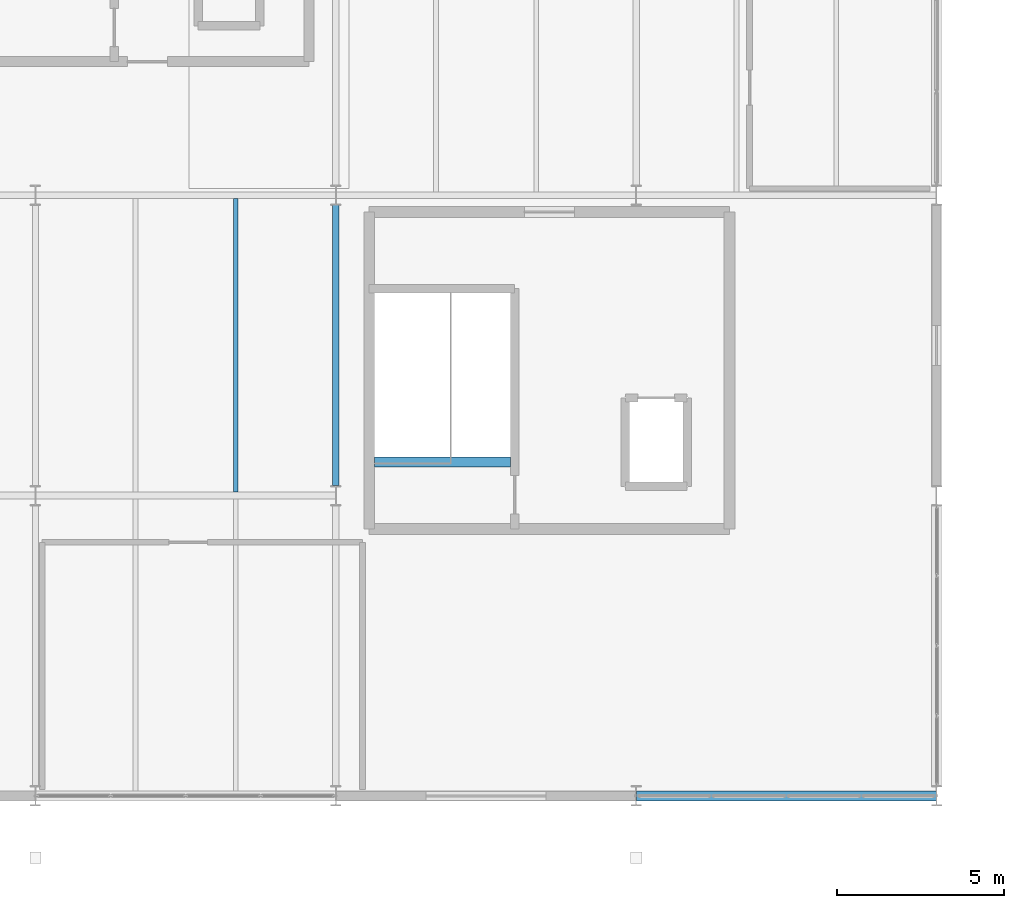
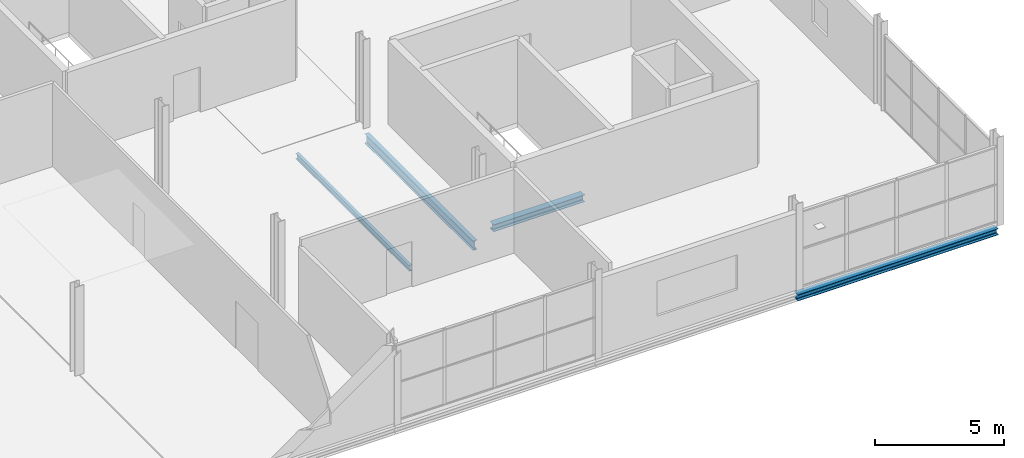
# One storey, part 20 of 44: 4 beams.
"""IFC4 building model written with IfcOpenShell, lengths in metres."""

import ifcopenshell
import ifcopenshell.guid

model = None  # the IFC model being written
_history = None  # IfcOwnerHistory: only IFC2X3 demands one
_inside = {}  # id of a spatial element -> (the spatial element, [elements in it])
_under = {}  # id of a project, library or spatial element -> (it, [spatial elements below it])
_declared = {}  # id of a project -> (the project, [libraries it declares])
_typed = {}  # id of a type object -> (the type object, [elements of that type])
_made_of = {}  # id of a material, layer set ... -> (it, [elements and type objects made of it])


def new_model(schema):
    """Start an empty IFC model of exactly this schema.

    Asked for "IFC4X3", IfcOpenShell would pick the latest addendum, in which some entities
    have other attributes; the version numbers below select the first issue.
    IFC2X3 requires an IfcOwnerHistory on every rooted entity: one is made here for all.
    """
    global model, _history
    if schema == "IFC4X3":
        model = ifcopenshell.file(schema_version=(4, 3, 0, 0))
    else:
        model = ifcopenshell.file(schema=schema)
    _inside.clear()
    _under.clear()
    _declared.clear()
    _typed.clear()
    _made_of.clear()
    _history = None
    if model.schema == "IFC2X3":
        org = make("IfcOrganization", Name="unknown")
        user = make(
            "IfcPersonAndOrganization",
            ThePerson=make("IfcPerson", FamilyName="unknown"),
            TheOrganization=org,
        )
        app = make(
            "IfcApplication",
            ApplicationDeveloper=org,
            Version="unknown",
            ApplicationFullName="unknown",
            ApplicationIdentifier="unknown",
        )
        _history = make(
            "IfcOwnerHistory",
            OwningUser=user,
            OwningApplication=app,
            ChangeAction="ADDED",
            CreationDate=0,
        )
    return model


def make(cls, **values):
    """One entity of the class cls with the attributes given. An attribute that is None is left unset."""
    return model.create_entity(
        cls, **{name: value for name, value in values.items() if value is not None}
    )


def rooted(cls, **values):
    """An entity with a GlobalId (a new one), such as an element, a storey or a relation."""
    return make(cls, GlobalId=ifcopenshell.guid.new(), OwnerHistory=_history, **values)


def si_unit(unit_type, name, prefix=None):
    """IfcSIUnit, for example si_unit("LENGTHUNIT", "METRE", prefix="MILLI")."""
    return make("IfcSIUnit", UnitType=unit_type, Prefix=prefix, Name=name)


def assignment(units):
    """IfcUnitAssignment: the units of a project."""
    return None if units is None else make("IfcUnitAssignment", Units=units)


def point(xyz):
    """IfcCartesianPoint."""
    return None if xyz is None else make("IfcCartesianPoint", Coordinates=xyz)


def direction(xyz):
    """IfcDirection."""
    return None if xyz is None else make("IfcDirection", DirectionRatios=xyz)


def frame(location, z_axis=None, x_axis=None):
    """IfcAxis2Placement3D, a coordinate frame: its origin and axes. An axis left out is left unset."""
    return make(
        "IfcAxis2Placement3D",
        Location=point(location),
        Axis=direction(z_axis),
        RefDirection=direction(x_axis),
    )


def frame_2d(location, x_axis=None):
    """IfcAxis2Placement2D, a coordinate frame in the plane: its origin and x axis."""
    return make(
        "IfcAxis2Placement2D", Location=point(location), RefDirection=direction(x_axis)
    )


def origin():
    """The frame at (0, 0, 0) with its axes left unset."""
    return frame((0.0, 0.0, 0.0))


def origin_2d():
    """The frame at (0, 0) in the plane with its x axis left unset."""
    return frame_2d((0.0, 0.0))


def place(relative_to, where):
    """IfcLocalPlacement: puts the frame where relative to a parent placement (None: the world)."""
    return make(
        "IfcLocalPlacement", PlacementRelTo=relative_to, RelativePlacement=where
    )


def context(
    kind, dimensions, precision=None, world=None, true_north=None, identifier=None
):
    """IfcGeometricRepresentationContext, for example the 3D "Model" context."""
    return make(
        "IfcGeometricRepresentationContext",
        ContextIdentifier=identifier,
        ContextType=kind,
        CoordinateSpaceDimension=dimensions,
        Precision=precision,
        WorldCoordinateSystem=world,
        TrueNorth=true_north,
    )


def subcontext(parent, identifier, kind, view, scale=None):
    """IfcGeometricRepresentationSubContext, for example "Body" below "Model"."""
    return make(
        "IfcGeometricRepresentationSubContext",
        ContextIdentifier=identifier,
        ContextType=kind,
        ParentContext=parent,
        TargetScale=scale,
        TargetView=view,
    )


def project(units=None, contexts=None):
    """IfcProject with its units and contexts."""
    return rooted(
        "IfcProject",
        Name="project",
        RepresentationContexts=contexts,
        UnitsInContext=assignment(units),
    )


def spatial(cls, under=None, at=None, **own):
    """A site, building, storey or space (cls), placed at a placement, below another one or the project."""
    s = rooted(cls, ObjectPlacement=at, **own)
    if under is not None:
        _under.setdefault(under.id(), (under, []))[1].append(s)
    return s


def profile(cls, at=None, kind="AREA", **sizes):
    """A parametric profile (cls). Its sizes go by their IFC names, for example OverallWidth=200.0."""
    return make(cls, ProfileType=kind, Position=at, **sizes)


def i_section(**sizes):
    """IfcIShapeProfileDef."""
    return profile("IfcIShapeProfileDef", **sizes)


def extrude(swept, where, along, depth):
    """IfcExtrudedAreaSolid: the profile swept, set in the frame where, extruded along a direction by depth."""
    return make(
        "IfcExtrudedAreaSolid",
        SweptArea=swept,
        Position=where,
        ExtrudedDirection=direction(along),
        Depth=depth,
    )


def shape(context_of_items, identifier, shape_type, items):
    """IfcShapeRepresentation: the items that make up one representation, for example the "Body"."""
    return make(
        "IfcShapeRepresentation",
        ContextOfItems=context_of_items,
        RepresentationIdentifier=identifier,
        RepresentationType=shape_type,
        Items=items,
    )


def material(Name=None, Category=None):
    """IfcMaterial."""
    return make("IfcMaterial", Name=Name, Category=Category)


def material_profile(
    of_material, cross_section, Name=None, Category=None, Priority=None
):
    """IfcMaterialProfile: a cross section and its material."""
    return make(
        "IfcMaterialProfile",
        Name=Name,
        Material=of_material,
        Profile=cross_section,
        Priority=Priority,
        Category=Category,
    )


def profile_set(profiles, Name=None, composite=None):
    """IfcMaterialProfileSet."""
    return make(
        "IfcMaterialProfileSet",
        Name=Name,
        MaterialProfiles=profiles,
        CompositeProfile=composite,
    )


def made_of(thing, what):
    """Note that an element or type object is made of a material, layer set ...; save() writes the relation."""
    if what is not None:
        _made_of.setdefault(what.id(), (what, []))[1].append(thing)
    return thing


def type_object(cls, material=None, **own):
    """A type object (cls), such as IfcWallType, which elements share."""
    return made_of(rooted(cls, **own), material)


def element(
    cls,
    number,
    at=None,
    inside=None,
    cuts=None,
    type_object=None,
    material=None,
    context=None,
    identifier="Body",
    shape_type=None,
    held_by="IfcProductDefinitionShape",
    body=None,
    shapes=None,
    **own,
):
    """One element of the class cls, such as IfcWall. Its Tag is "e" and its number.

    at: its placement. inside: the storey or other place that contains it. cuts: it is an
    opening in that element (IfcRelVoidsElement). A single representation is given by context,
    identifier, shape_type and body (its items); several are given by shapes. held_by: the class
    of the entity that holds the representations. save() writes the other relations.
    """
    e = rooted(cls, Tag="e%d" % number, ObjectPlacement=at, **own)
    if body is not None:
        shapes = [shape(context, identifier, shape_type, body)]
    if shapes is not None:
        e.Representation = make(held_by, Representations=shapes)
    if inside is not None:
        _inside.setdefault(inside.id(), (inside, []))[1].append(e)
    if cuts is not None:
        rooted(
            "IfcRelVoidsElement", RelatingBuildingElement=cuts, RelatedOpeningElement=e
        )
    if type_object is not None:
        _typed.setdefault(type_object.id(), (type_object, []))[1].append(e)
    return made_of(e, material)


def aggregate(whole, parts):
    """IfcRelAggregates: a whole, such as a stair, and the parts it consists of."""
    return rooted("IfcRelAggregates", RelatingObject=whole, RelatedObjects=parts)


def save(model, path):
    """Write the relations noted so far, then the file.

    IfcRelAggregates (storeys below a building ...), IfcRelContainedInSpatialStructure (elements
    in a storey), IfcRelDefinesByType, IfcRelAssociatesMaterial and IfcRelDeclares: one each for
    every whole, place, type object, material and project.
    """
    for whole, parts in _under.values():
        aggregate(whole, parts)
    for where, things in _inside.values():
        rooted(
            "IfcRelContainedInSpatialStructure",
            RelatedElements=things,
            RelatingStructure=where,
        )
    for kind, things in _typed.values():
        rooted("IfcRelDefinesByType", RelatedObjects=things, RelatingType=kind)
    for what, things in _made_of.values():
        rooted("IfcRelAssociatesMaterial", RelatedObjects=things, RelatingMaterial=what)
    for by, libraries in _declared.values():
        rooted("IfcRelDeclares", RelatingContext=by, RelatedDefinitions=libraries)
    model.write(path)


model = new_model("IFC4")

# Units and contexts
model_context = context("Model", 3, precision=1e-05, world=origin(), true_north=direction((0.0, 1.0)))
body_context = subcontext(model_context, "Body", "Model", "MODEL_VIEW")
ifc_project = project(units=[si_unit("LENGTHUNIT", "METRE"), si_unit("AREAUNIT", "SQUARE_METRE"), si_unit("VOLUMEUNIT", "CUBIC_METRE"), si_unit("PLANEANGLEUNIT", "RADIAN"), si_unit("MASSUNIT", "GRAM", prefix="KILO")], contexts=[model_context])

# Site, building, storey
site_placement = place(None, origin())
site = spatial("IfcSite", under=ifc_project, at=site_placement, CompositionType="ELEMENT")
building_placement = place(site_placement, origin())
building = spatial("IfcBuilding", under=site, at=building_placement, Name="Deido Ridge Mobility Hub", CompositionType="ELEMENT")
storey_placement = place(building_placement, frame((0.0, 0.0, 25.199951171875)))
storey = spatial("IfcBuildingStorey", under=building, at=storey_placement, Name="L06", CompositionType="ELEMENT", Elevation=25.199951171875)

# Beams
ifc_material = material(Name="Steel S355J2 EN 10025-2", Category="steel")
ifc_material_profile_1 = material_profile(ifc_material, i_section(OverallWidth=0.300048828125, OverallDepth=0.330078125, WebThickness=0.009521484375, FlangeThickness=0.0166015625, FilletRadius=0.027099609375, at=origin_2d()), Name="HEA 340")
ifc_profile_set_1 = profile_set([ifc_material_profile_1], Name="Steel S355J2 EN 10025-2")
beam_type_1 = type_object("IfcBeamType", Name="BM-HEA340", PredefinedType="BEAM", material=ifc_profile_set_1)
beam_1_placement = place(storey_placement, frame((163.16259765625, 10.0, -0.405029296875), z_axis=(1.0, 0.0, 0.0), x_axis=(0.0, 1.0, 0.0)))
element("IfcBeam", 1, at=beam_1_placement, inside=storey, type_object=beam_type_1, Name="C1 stair landing trimmer beam B6", PredefinedType="BEAM", context=body_context, shape_type="SweptSolid", body=[
    extrude(i_section(OverallWidth=0.300048828125, OverallDepth=0.330078125, WebThickness=0.009521484375, FlangeThickness=0.0166015625, FilletRadius=0.027099609375, at=origin_2d()), origin(), (0.0, 0.0, 1.0), 4.072509765625),
])
ifc_material_profile_2 = material_profile(ifc_material, i_section(OverallWidth=0.18994140625, OverallDepth=0.449951171875, WebThickness=0.009521484375, FlangeThickness=0.0146484375, FilletRadius=0.02099609375, at=origin_2d()), Name="IPE 450")
ifc_profile_set_2 = profile_set([ifc_material_profile_2], Name="Steel S355J2 EN 10025-2")
beam_type_2 = type_object("IfcBeamType", Name="BM-IPE450", PredefinedType="BEAM", material=ifc_profile_set_2)
beam_2_placement = place(storey_placement, frame((162.0, 9.300048828125, -0.46484375), z_axis=(0.0, 1.0, 0.0), x_axis=(-1.0, 0.0, 0.0)))
element("IfcBeam", 2, at=beam_2_placement, inside=storey, type_object=beam_type_2, Name="Floor beam B4", PredefinedType="BEAM", context=body_context, shape_type="SweptSolid", body=[
    extrude(i_section(OverallWidth=0.18994140625, OverallDepth=0.449951171875, WebThickness=0.009521484375, FlangeThickness=0.0146484375, FilletRadius=0.02099609375, at=origin_2d()), origin(), (0.0, 0.0, 1.0), 8.39990234375),
])
ifc_material_profile_3 = material_profile(ifc_material, i_section(OverallWidth=0.135009765625, OverallDepth=0.27001953125, WebThickness=0.006591796875, FlangeThickness=0.01025390625, FilletRadius=0.014892578125, at=origin_2d()), Name="IPE 270")
ifc_profile_set_3 = profile_set([ifc_material_profile_3], Name="Steel S355J2 EN 10025-2")
beam_type_3 = type_object("IfcBeamType", Name="JST-IPE270", PredefinedType="JOIST", material=ifc_profile_set_3)
beam_3_placement = place(storey_placement, frame((159.0, 9.10009765625, -0.375), z_axis=(0.0, 1.0, 0.0), x_axis=(-1.0, 0.0, 0.0)))
element("IfcBeam", 3, at=beam_3_placement, inside=storey, type_object=beam_type_3, Name="Composite joist J4", PredefinedType="JOIST", context=body_context, shape_type="SweptSolid", body=[
    extrude(i_section(OverallWidth=0.135009765625, OverallDepth=0.27001953125, WebThickness=0.006591796875, FlangeThickness=0.01025390625, FilletRadius=0.014892578125, at=origin_2d()), origin(), (0.0, 0.0, 1.0), 8.7998046875),
])
ifc_material_profile_4 = material_profile(ifc_material, i_section(OverallWidth=0.300048828125, OverallDepth=0.300048828125, WebThickness=0.010986328125, FlangeThickness=0.01904296875, FilletRadius=0.027099609375, at=origin_2d()), Name="HEB 300")
ifc_profile_set_4 = profile_set([ifc_material_profile_4], Name="Steel S355J2 EN 10025-2")
beam_type_4 = type_object("IfcBeamType", Name="SPD-HEB300", PredefinedType="SPANDREL", material=ifc_profile_set_4)
beam_4_placement = place(storey_placement, frame((171.0078125, 0.0, -0.389892578125), z_axis=(1.0, 0.0, 0.0), x_axis=(0.0, 1.0, 0.0)))
element("IfcBeam", 4, at=beam_4_placement, inside=storey, type_object=beam_type_4, Name="Floor beam SP1", PredefinedType="SPANDREL", context=body_context, shape_type="SweptSolid", body=[
    extrude(i_section(OverallWidth=0.300048828125, OverallDepth=0.300048828125, WebThickness=0.010986328125, FlangeThickness=0.01904296875, FilletRadius=0.027099609375, at=origin_2d()), origin(), (0.0, 0.0, 1.0), 8.984375),
])

save(model, "model.ifc")
